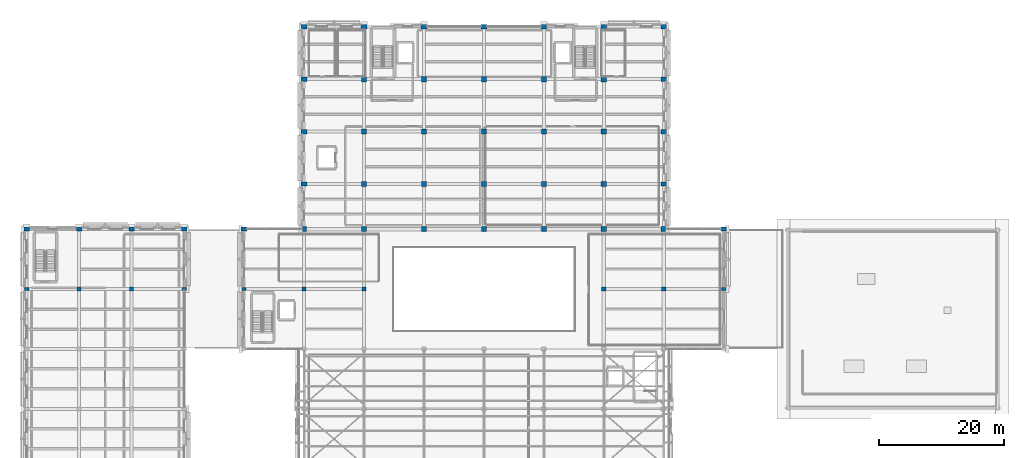
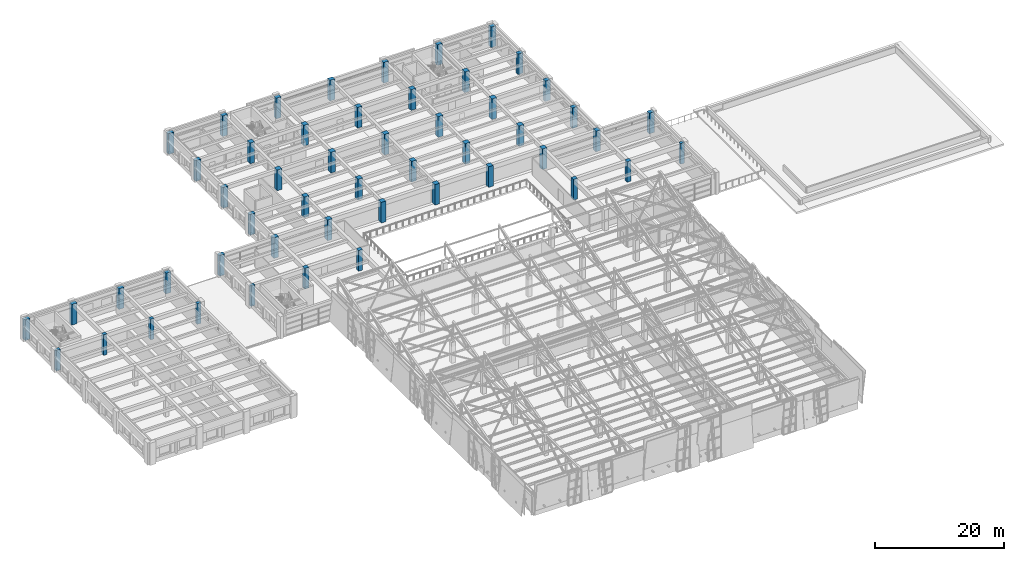
# One storey, part 7 of 71: 51 columns.
"""IFC4 building model written with IfcOpenShell, lengths in metres."""

from ifc_helpers import new_model, si_unit, direction, frame, origin, origin_2d, place, context, subcontext, project, spatial, rectangle, extrude, material, material_profile, profile_set, type_object, element, save


model = new_model("IFC4")

# Units and contexts
model_context = context("Model", 3, precision=1e-05, world=origin(), true_north=direction((0.0, 1.0)))
body_context = subcontext(model_context, "Body", "Model", "MODEL_VIEW")
ifc_project = project(units=[si_unit("LENGTHUNIT", "METRE"), si_unit("AREAUNIT", "SQUARE_METRE"), si_unit("VOLUMEUNIT", "CUBIC_METRE"), si_unit("PLANEANGLEUNIT", "RADIAN"), si_unit("MASSUNIT", "GRAM", prefix="KILO")], contexts=[model_context])

# Site, building, storey
site_placement = place(None, origin())
site = spatial("IfcSite", under=ifc_project, at=site_placement, CompositionType="ELEMENT")
building_placement = place(site_placement, origin())
building = spatial("IfcBuilding", under=site, at=building_placement, Name="Bempovik Park Faculty of Sciences", CompositionType="ELEMENT")
storey_placement = place(building_placement, frame((0.0, 0.0, 14.10009765625)))
storey = spatial("IfcBuildingStorey", under=building, at=storey_placement, Name="L03", CompositionType="ELEMENT", Elevation=14.10009765625)

# Columns
ifc_material = material(Name="Concrete C40/50", Category="concrete")
ifc_material_profile_1 = material_profile(ifc_material, rectangle(XDim=0.719970703125, YDim=0.5400390625, at=origin_2d()), Name="RC 720x540")
ifc_profile_set_1 = profile_set([ifc_material_profile_1], Name="Concrete C40/50")
column_type_1 = type_object("IfcColumnType", Name="C-18 RC 720x540", PredefinedType="COLUMN", material=ifc_profile_set_1)
for number, where, z_axis, x_axis, name in (
    (1, (15.60009765625, 77.39990234375, 0.0), (0.0, 0.0, 1.0), (1.0, 0.0, 0.0), "L03 Structural Column (15.6,77.4)"),
    (2, (40.800048828125, 77.39990234375, 0.0), (0.0, 0.0, 1.0), (1.0, 0.0, 0.0), "L03 Structural Column (40.8,77.4)"),
):
    element("IfcColumn", number, at=place(storey_placement, frame(where, z_axis=z_axis, x_axis=x_axis)), inside=storey, type_object=column_type_1, Name=name, PredefinedType="COLUMN", context=body_context, shape_type="SweptSolid", body=[
        extrude(rectangle(XDim=0.719970703125, YDim=0.5400390625, at=origin_2d()), origin(), (0.0, 0.0, 1.0), 3.89990234375),
    ])
ifc_material_profile_2 = material_profile(ifc_material, rectangle(XDim=0.60009765625, YDim=0.60009765625, at=origin_2d()), Name="RC 600x600")
ifc_profile_set_2 = profile_set([ifc_material_profile_2], Name="Concrete C40/50")
column_type_2 = type_object("IfcColumnType", Name="C-21 RC 600x600", PredefinedType="COLUMN", material=ifc_profile_set_2)
for number, where, z_axis, x_axis, name in (
    (3, (24.0, 77.39990234375, 0.0), (0.0, 0.0, 1.0), (1.0, 0.0, 0.0), "L03 Structural Column (24.0,77.4)"),
    (4, (32.39990234375, 77.39990234375, 0.0), (0.0, 0.0, 1.0), (1.0, 0.0, 0.0), "L03 Structural Column (32.4,77.4)"),
):
    element("IfcColumn", number, at=place(storey_placement, frame(where, z_axis=z_axis, x_axis=x_axis)), inside=storey, type_object=column_type_2, Name=name, PredefinedType="COLUMN", context=body_context, shape_type="SweptSolid", body=[
        extrude(rectangle(XDim=0.60009765625, YDim=0.60009765625, at=origin_2d()), origin(), (0.0, 0.0, 1.0), 3.89990234375),
    ])
ifc_material_profile_3 = material_profile(ifc_material, rectangle(XDim=0.89990234375, YDim=0.699951171875, at=origin_2d()), Name="RC 900x700")
ifc_profile_set_3 = profile_set([ifc_material_profile_3], Name="Concrete C40/50")
column_type_3 = type_object("IfcColumnType", Name="C-25 RC 900x700", PredefinedType="COLUMN", material=ifc_profile_set_3)
for number, where, z_axis, x_axis, name in (
    (5, (15.60009765625, 87.0, 0.0), (0.0, 0.0, 1.0), (1.0, 0.0, 0.0), "L03 Structural Column (15.6,87.0)"),
    (6, (24.0, 87.0, 0.0), (0.0, 0.0, 1.0), (1.0, 0.0, 0.0), "L03 Structural Column (24.0,87.0)"),
    (7, (32.39990234375, 87.0, 0.0), (0.0, 0.0, 1.0), (1.0, 0.0, 0.0), "L03 Structural Column (32.4,87.0)"),
    (8, (40.800048828125, 87.0, 0.0), (0.0, 0.0, 1.0), (1.0, 0.0, 0.0), "L03 Structural Column (40.8,87.0)"),
    (9, (50.39990234375, 87.0, 0.0), (0.0, 0.0, 1.0), (1.0, 0.0, 0.0), "L03 Structural Column (50.4,87.0)"),
    (10, (60.0, 94.199951171875, 0.0), (0.0, 0.0, 1.0), (1.0, 0.0, 0.0), "L03 Structural Column (60.0,94.2)"),
    (11, (60.0, 102.60009765625, 0.0), (0.0, 0.0, 1.0), (1.0, 0.0, 0.0), "L03 Structural Column (60.0,102.6)"),
    (12, (60.0, 111.0, 0.0), (0.0, 0.0, 1.0), (1.0, 0.0, 0.0), "L03 Structural Column (60.0,111.0)"),
    (13, (60.0, 119.39990234375, 0.0), (0.0, 0.0, 1.0), (1.0, 0.0, 0.0), "L03 Structural Column (60.0,119.4)"),
    (14, (69.60009765625, 119.39990234375, 0.0), (0.0, 0.0, 1.0), (1.0, 0.0, 0.0), "L03 Structural Column (69.6,119.4)"),
    (15, (79.199951171875, 119.39990234375, 0.0), (0.0, 0.0, 1.0), (1.0, 0.0, 0.0), "L03 Structural Column (79.2,119.4)"),
    (16, (88.800048828125, 119.39990234375, 0.0), (0.0, 0.0, 1.0), (1.0, 0.0, 0.0), "L03 Structural Column (88.8,119.4)"),
    (17, (98.39990234375, 119.39990234375, 0.0), (0.0, 0.0, 1.0), (1.0, 0.0, 0.0), "L03 Structural Column (98.4,119.4)"),
    (18, (108.0, 119.39990234375, 0.0), (0.0, 0.0, 1.0), (1.0, 0.0, 0.0), "L03 Structural Column (108.0,119.4)"),
    (19, (117.60009765625, 94.199951171875, 0.0), (0.0, 0.0, 1.0), (1.0, 0.0, 0.0), "L03 Structural Column (117.6,94.2)"),
    (20, (117.60009765625, 102.60009765625, 0.0), (0.0, 0.0, 1.0), (1.0, 0.0, 0.0), "L03 Structural Column (117.6,102.6)"),
    (21, (117.60009765625, 111.0, 0.0), (0.0, 0.0, 1.0), (1.0, 0.0, 0.0), "L03 Structural Column (117.6,111.0)"),
    (22, (117.60009765625, 119.39990234375, 0.0), (0.0, 0.0, 1.0), (1.0, 0.0, 0.0), "L03 Structural Column (117.6,119.4)"),
    (23, (127.199951171875, 87.0, 0.0), (0.0, 0.0, 1.0), (1.0, 0.0, 0.0), "L03 Structural Column (127.2,87.0)"),
):
    element("IfcColumn", number, at=place(storey_placement, frame(where, z_axis=z_axis, x_axis=x_axis)), inside=storey, type_object=column_type_3, Name=name, PredefinedType="COLUMN", context=body_context, shape_type="SweptSolid", body=[
        extrude(rectangle(XDim=0.89990234375, YDim=0.699951171875, at=origin_2d()), origin(), (0.0, 0.0, 1.0), 3.89990234375),
    ])
ifc_material_profile_4 = material_profile(ifc_material, rectangle(XDim=0.699951171875, YDim=0.699951171875, at=origin_2d()), Name="RC 700x700")
ifc_profile_set_4 = profile_set([ifc_material_profile_4], Name="Concrete C40/50")
column_type_4 = type_object("IfcColumnType", Name="C-34 RC 700x700", PredefinedType="COLUMN", material=ifc_profile_set_4)
for number, where, z_axis, x_axis, name in (
    (24, (60.0, 77.39990234375, 0.0), (0.0, 0.0, 1.0), (1.0, 0.0, 0.0), "L03 Structural Column (60.0,77.4)"),
    (25, (69.60009765625, 77.39990234375, 0.0), (0.0, 0.0, 1.0), (1.0, 0.0, 0.0), "L03 Structural Column (69.6,77.4)"),
    (26, (108.0, 77.39990234375, 0.0), (0.0, 0.0, 1.0), (1.0, 0.0, 0.0), "L03 Structural Column (108.0,77.4)"),
    (27, (117.60009765625, 77.39990234375, 0.0), (0.0, 0.0, 1.0), (1.0, 0.0, 0.0), "L03 Structural Column (117.6,77.4)"),
):
    element("IfcColumn", number, at=place(storey_placement, frame(where, z_axis=z_axis, x_axis=x_axis)), inside=storey, type_object=column_type_4, Name=name, PredefinedType="COLUMN", context=body_context, shape_type="SweptSolid", body=[
        extrude(rectangle(XDim=0.699951171875, YDim=0.699951171875, at=origin_2d()), origin(), (0.0, 0.0, 1.0), 3.89990234375),
    ])
ifc_material_profile_5 = material_profile(ifc_material, rectangle(XDim=0.85009765625, YDim=0.85009765625, at=origin_2d()), Name="RC 850x850")
ifc_profile_set_5 = profile_set([ifc_material_profile_5], Name="Concrete C40/50")
column_type_5 = type_object("IfcColumnType", Name="C-36 RC 850x850", PredefinedType="COLUMN", material=ifc_profile_set_5)
for number, where, z_axis, x_axis, name in (
    (28, (60.0, 87.0, 0.0), (0.0, 0.0, 1.0), (1.0, 0.0, 0.0), "L03 Structural Column (60.0,87.0)"),
    (29, (69.60009765625, 87.0, 0.0), (0.0, 0.0, 1.0), (1.0, 0.0, 0.0), "L03 Structural Column (69.6,87.0)"),
    (30, (69.60009765625, 94.199951171875, 0.0), (0.0, 0.0, 1.0), (1.0, 0.0, 0.0), "L03 Structural Column (69.6,94.2)"),
    (31, (69.60009765625, 102.60009765625, 0.0), (0.0, 0.0, 1.0), (1.0, 0.0, 0.0), "L03 Structural Column (69.6,102.6)"),
    (32, (69.60009765625, 111.0, 0.0), (0.0, 0.0, 1.0), (1.0, 0.0, 0.0), "L03 Structural Column (69.6,111.0)"),
    (33, (79.199951171875, 87.0, 0.0), (0.0, 0.0, 1.0), (1.0, 0.0, 0.0), "L03 Structural Column (79.2,87.0)"),
    (34, (79.199951171875, 94.199951171875, 0.0), (0.0, 0.0, 1.0), (1.0, 0.0, 0.0), "L03 Structural Column (79.2,94.2)"),
    (35, (79.199951171875, 102.60009765625, 0.0), (0.0, 0.0, 1.0), (1.0, 0.0, 0.0), "L03 Structural Column (79.2,102.6)"),
    (36, (79.199951171875, 111.0, 0.0), (0.0, 0.0, 1.0), (1.0, 0.0, 0.0), "L03 Structural Column (79.2,111.0)"),
    (37, (88.800048828125, 87.0, 0.0), (0.0, 0.0, 1.0), (1.0, 0.0, 0.0), "L03 Structural Column (88.8,87.0)"),
    (38, (88.800048828125, 94.199951171875, 0.0), (0.0, 0.0, 1.0), (1.0, 0.0, 0.0), "L03 Structural Column (88.8,94.2)"),
    (39, (88.800048828125, 102.60009765625, 0.0), (0.0, 0.0, 1.0), (1.0, 0.0, 0.0), "L03 Structural Column (88.8,102.6)"),
    (40, (88.800048828125, 111.0, 0.0), (0.0, 0.0, 1.0), (1.0, 0.0, 0.0), "L03 Structural Column (88.8,111.0)"),
    (41, (98.39990234375, 87.0, 0.0), (0.0, 0.0, 1.0), (1.0, 0.0, 0.0), "L03 Structural Column (98.4,87.0)"),
    (42, (98.39990234375, 94.199951171875, 0.0), (0.0, 0.0, 1.0), (1.0, 0.0, 0.0), "L03 Structural Column (98.4,94.2)"),
    (43, (98.39990234375, 102.60009765625, 0.0), (0.0, 0.0, 1.0), (1.0, 0.0, 0.0), "L03 Structural Column (98.4,102.6)"),
    (44, (98.39990234375, 111.0, 0.0), (0.0, 0.0, 1.0), (1.0, 0.0, 0.0), "L03 Structural Column (98.4,111.0)"),
    (45, (108.0, 87.0, 0.0), (0.0, 0.0, 1.0), (1.0, 0.0, 0.0), "L03 Structural Column (108.0,87.0)"),
    (46, (108.0, 94.199951171875, 0.0), (0.0, 0.0, 1.0), (1.0, 0.0, 0.0), "L03 Structural Column (108.0,94.2)"),
    (47, (108.0, 102.60009765625, 0.0), (0.0, 0.0, 1.0), (1.0, 0.0, 0.0), "L03 Structural Column (108.0,102.6)"),
    (48, (108.0, 111.0, 0.0), (0.0, 0.0, 1.0), (1.0, 0.0, 0.0), "L03 Structural Column (108.0,111.0)"),
    (49, (117.60009765625, 87.0, 0.0), (0.0, 0.0, 1.0), (1.0, 0.0, 0.0), "L03 Structural Column (117.6,87.0)"),
):
    element("IfcColumn", number, at=place(storey_placement, frame(where, z_axis=z_axis, x_axis=x_axis)), inside=storey, type_object=column_type_5, Name=name, PredefinedType="COLUMN", context=body_context, shape_type="SweptSolid", body=[
        extrude(rectangle(XDim=0.85009765625, YDim=0.85009765625, at=origin_2d()), origin(), (0.0, 0.0, 1.0), 3.89990234375),
    ])
ifc_material_profile_6 = material_profile(ifc_material, rectangle(XDim=0.699951171875, YDim=0.5, at=origin_2d()), Name="RC 700x500")
ifc_profile_set_6 = profile_set([ifc_material_profile_6], Name="Concrete C40/50")
column_type_6 = type_object("IfcColumnType", Name="C-75 RC 700x500", PredefinedType="COLUMN", material=ifc_profile_set_6)
for number, where, z_axis, x_axis, name in (
    (50, (50.39990234375, 77.39990234375, 0.0), (0.0, 0.0, 1.0), (1.0, 0.0, 0.0), "L03 Structural Column (50.4,77.4)"),
    (51, (127.199951171875, 77.39990234375, 0.0), (0.0, 0.0, 1.0), (1.0, 0.0, 0.0), "L03 Structural Column (127.2,77.4)"),
):
    element("IfcColumn", number, at=place(storey_placement, frame(where, z_axis=z_axis, x_axis=x_axis)), inside=storey, type_object=column_type_6, Name=name, PredefinedType="COLUMN", context=body_context, shape_type="SweptSolid", body=[
        extrude(rectangle(XDim=0.699951171875, YDim=0.5, at=origin_2d()), origin(), (0.0, 0.0, 1.0), 3.89990234375),
    ])

save(model, "model.ifc")
